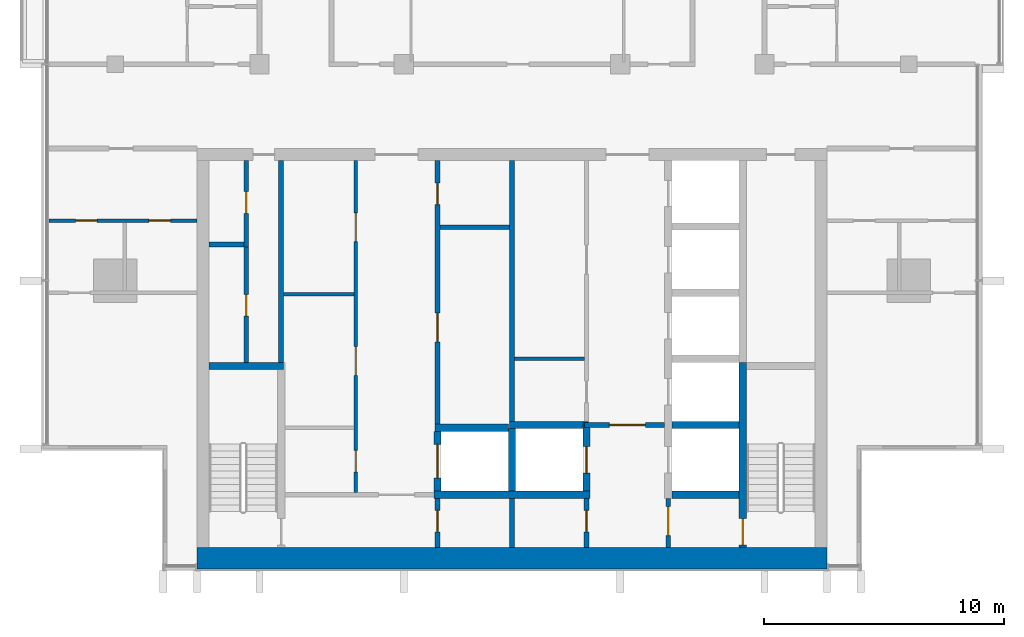
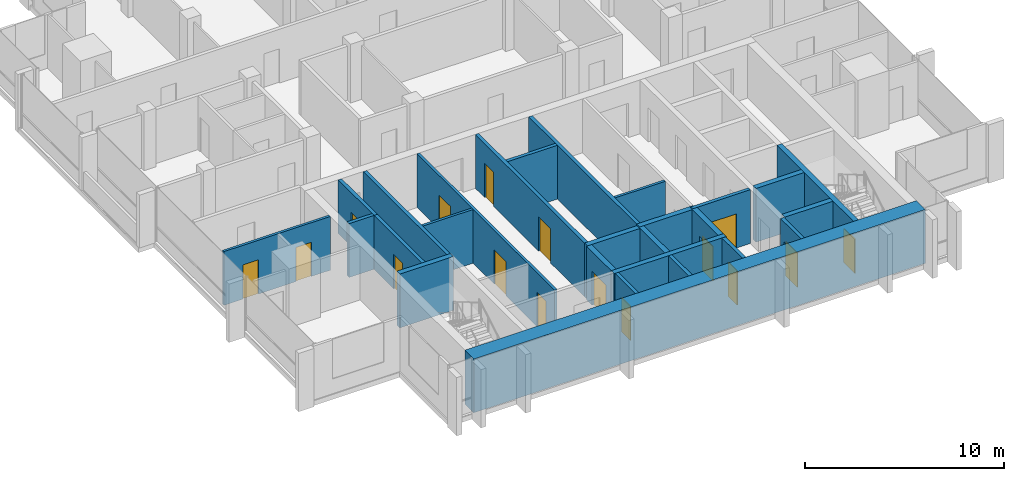
# One storey, part 7 of 16: 27 walls, 16 doors, 16 openings.
"""IFC4 building model written with IfcOpenShell, lengths in metres."""

from ifc_helpers import new_model, si_unit, direction, frame, frame_2d, origin, place, context, subcontext, project, spatial, rectangle, extrude, material, layer, layer_set, type_object, element, fill, save


model = new_model("IFC4")

# Units and contexts
model_context = context("Model", 3, precision=1e-05, world=origin(), true_north=direction((0.0, 1.0)))
body_context = subcontext(model_context, "Body", "Model", "MODEL_VIEW")
ifc_project = project(units=[si_unit("LENGTHUNIT", "METRE"), si_unit("AREAUNIT", "SQUARE_METRE"), si_unit("VOLUMEUNIT", "CUBIC_METRE"), si_unit("PLANEANGLEUNIT", "RADIAN"), si_unit("MASSUNIT", "GRAM", prefix="KILO")], contexts=[model_context])

# Site, building, storey
site_placement = place(None, origin())
site = spatial("IfcSite", under=ifc_project, at=site_placement, CompositionType="ELEMENT")
building_placement = place(site_placement, origin())
building = spatial("IfcBuilding", under=site, at=building_placement, Name="Finial Court Residences", CompositionType="ELEMENT")
storey_placement = place(building_placement, frame((0.0, 0.0, 259.10009765625)))
storey = spatial("IfcBuildingStorey", under=building, at=storey_placement, Name="L65", CompositionType="ELEMENT", Elevation=259.10009765625)

# Walls
ifc_material_1 = material(Name="Fire-rated gypsum board partition")
ifc_layer_1 = layer(ifc_material_1, 0.14990234375)
ifc_layer_set_1 = layer_set([ifc_layer_1], Name="Core room partition 150 EI 60")
wall_type_1 = type_object("IfcWallType", Name="Core room partition 150 EI 60", PredefinedType="PARTITIONING", material=ifc_layer_set_1)
wall_1_placement = place(storey_placement, frame((0.10009765625, -16.75, 0.0), z_axis=(0.0, 0.0, 1.0), x_axis=(1.0, 0.0, 0.0)))
element("IfcWall", 1, at=wall_1_placement, inside=storey, type_object=wall_type_1, Name="Core partition L65-11", PredefinedType="PARTITIONING", context=body_context, shape_type="SweptSolid", body=[
    extrude(rectangle(XDim=2.9248046875, YDim=0.14990234375, at=frame_2d((1.46240234375, 0.0))), origin(), (0.0, 0.0, 1.0), 3.2998046875),
])
wall_2_placement = place(storey_placement, frame((-9.5, -14.06005859375, 0.0), z_axis=(0.0, 0.0, 1.0), x_axis=(1.0, 0.0, 0.0)))
element("IfcWall", 2, at=wall_2_placement, inside=storey, type_object=wall_type_1, Name="Core partition L65-13", PredefinedType="PARTITIONING", context=body_context, shape_type="SweptSolid", body=[
    extrude(rectangle(XDim=2.925048828125, YDim=0.14990234375, at=frame_2d((1.46240234375, 0.0))), origin(), (0.0, 0.0, 1.0), 3.2998046875),
])

# Wall, openings, doors
wall_3_placement = place(storey_placement, frame((-6.5, -22.300048828125, 0.0), z_axis=(0.0, 0.0, 1.0), x_axis=(0.0, 1.0, 0.0)))
wall_3 = element("IfcWall", 3, at=wall_3_placement, inside=storey, type_object=wall_type_1, Name="Core partition L65-22", PredefinedType="PARTITIONING", context=body_context, shape_type="SweptSolid", body=[
    extrude(rectangle(XDim=13.800048828125, YDim=0.14990234375, at=frame_2d((6.89990234375, 0.0))), origin(), (0.0, 0.0, 1.0), 3.2998046875),
])
opening_1_placement = place(wall_3_placement, frame((0.840087890625, 0.0, 0.0)))
opening_1 = element("IfcOpeningElement", 4, at=opening_1_placement, cuts=wall_3, Name="Opening L65-C14", PredefinedType="OPENING", context=body_context, shape_type="SweptSolid", body=[
    extrude(rectangle(XDim=0.89990234375, YDim=2.10009765625, at=frame_2d((0.449951171875, 1.050048828125))), frame((0.0, 0.0849609375, 0.0), z_axis=(0.0, -1.0, 0.0), x_axis=(1.0, 0.0, 0.0)), (0.0, 0.0, 1.0), 0.169921875),
])
opening_2_placement = place(wall_3_placement, frame((4.860107421875, 0.0, 0.0)))
opening_2 = element("IfcOpeningElement", 5, at=opening_2_placement, cuts=wall_3, Name="Opening L65-C15", PredefinedType="OPENING", context=body_context, shape_type="SweptSolid", body=[
    extrude(rectangle(XDim=1.199951171875, YDim=2.10009765625, at=frame_2d((0.60009765625, 1.050048828125))), frame((0.0, 0.0849609375, 0.0), z_axis=(0.0, -1.0, 0.0), x_axis=(1.0, 0.0, 0.0)), (0.0, 0.0, 1.0), 0.169921875),
])
opening_3_placement = place(wall_3_placement, frame((10.419921875, 0.0, 0.0)))
opening_3 = element("IfcOpeningElement", 6, at=opening_3_placement, cuts=wall_3, Name="Opening L65-C16", PredefinedType="OPENING", context=body_context, shape_type="SweptSolid", body=[
    extrude(rectangle(XDim=1.199951171875, YDim=2.10009765625, at=frame_2d((0.60009765625, 1.050048828125))), frame((0.0, 0.0849609375, 0.0), z_axis=(0.0, -1.0, 0.0), x_axis=(1.0, 0.0, 0.0)), (0.0, 0.0, 1.0), 0.169921875),
])
ifc_material_2 = material(Name="Steel fire door", Category="steel")
door_type_1 = type_object("IfcDoorType", Name="Core room door 1200 x 2100 EI 60", OperationType="NOTDEFINED", PredefinedType="DOOR", material=ifc_material_2)
door_1_placement = place(opening_2_placement, origin())
door_1 = element("IfcDoor", 7, at=door_1_placement, inside=storey, type_object=door_type_1, Name="Core room door L65-C15", OperationType="SINGLE_SWING_RIGHT", OverallHeight=2.10009765625, OverallWidth=1.199951171875, PredefinedType="DOOR", context=body_context, shape_type="SweptSolid", body=[
    extrude(rectangle(XDim=1.199951171875, YDim=2.10009765625, at=frame_2d((0.60009765625, 1.050048828125))), frame((0.0, 0.02490234375, 0.0), z_axis=(0.0, -1.0, 0.0), x_axis=(1.0, 0.0, 0.0)), (0.0, 0.0, 1.0), 0.050048828125),
])
fill(opening_2, door_1)
door_2_placement = place(opening_3_placement, origin())
door_2 = element("IfcDoor", 8, at=door_2_placement, inside=storey, type_object=door_type_1, Name="Core room door L65-C16", OperationType="SINGLE_SWING_RIGHT", OverallHeight=2.10009765625, OverallWidth=1.199951171875, PredefinedType="DOOR", context=body_context, shape_type="SweptSolid", body=[
    extrude(rectangle(XDim=1.199951171875, YDim=2.10009765625, at=frame_2d((0.60009765625, 1.050048828125))), frame((0.0, 0.02490234375, 0.0), z_axis=(0.0, -1.0, 0.0), x_axis=(1.0, 0.0, 0.0)), (0.0, 0.0, 1.0), 0.050048828125),
])
fill(opening_3, door_2)
door_type_2 = type_object("IfcDoorType", Name="Core room door 900 x 2100 EI 60", OperationType="NOTDEFINED", PredefinedType="DOOR", material=ifc_material_2)
door_3_placement = place(opening_1_placement, origin())
door_3 = element("IfcDoor", 9, at=door_3_placement, inside=storey, type_object=door_type_2, Name="Core room door L65-C14", OperationType="SINGLE_SWING_LEFT", OverallHeight=2.10009765625, OverallWidth=0.89990234375, PredefinedType="DOOR", context=body_context, shape_type="SweptSolid", body=[
    extrude(rectangle(XDim=0.89990234375, YDim=2.10009765625, at=frame_2d((0.449951171875, 1.050048828125))), frame((0.0, 0.02490234375, 0.0), z_axis=(0.0, -1.0, 0.0), x_axis=(1.0, 0.0, 0.0)), (0.0, 0.0, 1.0), 0.050048828125),
])
fill(opening_1, door_3)

# Wall
ifc_material_3 = material(Name="Concrete C50/60", Category="concrete")
ifc_layer_2 = layer(ifc_material_3, 0.89990234375)
ifc_layer_set_2 = layer_set([ifc_layer_2], Name="Core south facade wall 900 Concrete C50/60")
wall_type_2 = type_object("IfcWallType", Name="Core south facade wall 900 Concrete C50/60", PredefinedType="SHEAR", material=ifc_layer_set_2)
wall_4_placement = place(storey_placement, frame((-13.10009765625, -25.050048828125, 0.0), z_axis=(0.0, 0.0, 1.0), x_axis=(1.0, 0.0, 0.0)))
element("IfcWall", 10, at=wall_4_placement, inside=storey, type_object=wall_type_2, Name="Core outer wall L65-01", PredefinedType="SHEAR", context=body_context, shape_type="SweptSolid", body=[
    extrude(rectangle(XDim=26.2001953125, YDim=0.89990234375, at=frame_2d((13.10009765625, 0.0))), origin(), (0.0, 0.0, 1.0), 3.2998046875),
])

# Wall, opening, door
ifc_layer_3 = layer(ifc_material_1, 0.199951171875)
ifc_layer_set_3 = layer_set([ifc_layer_3], Name="Firefighting lobby wall 200 EI 120")
wall_type_3 = type_object("IfcWallType", Name="Firefighting lobby wall 200 EI 120", PredefinedType="PARTITIONING", material=ifc_layer_set_3)
wall_5_placement = place(storey_placement, frame((6.35009765625, -19.5, 0.0), z_axis=(0.0, 0.0, 1.0), x_axis=(-1.0, 0.0, 0.0)))
wall_5 = element("IfcWall", 11, at=wall_5_placement, inside=storey, type_object=wall_type_3, Name="Core partition L65-07", PredefinedType="PARTITIONING", context=body_context, shape_type="SweptSolid", body=[
    extrude(rectangle(XDim=3.3251953125, YDim=0.199951171875, at=frame_2d((1.66259765625, 0.0))), origin(), (0.0, 0.0, 1.0), 3.2998046875),
])
opening_4_placement = place(wall_5_placement, frame((0.800048828125, 0.0, 0.0)))
opening_4 = element("IfcOpeningElement", 12, at=opening_4_placement, cuts=wall_5, Name="Opening L65-C02", PredefinedType="OPENING", context=body_context, shape_type="SweptSolid", body=[
    extrude(rectangle(XDim=1.5, YDim=2.10009765625, at=frame_2d((0.75, 1.050048828125))), frame((0.0, 0.10986328125, 0.0), z_axis=(0.0, -1.0, 0.0), x_axis=(1.0, 0.0, 0.0)), (0.0, 0.0, 1.0), 0.219970703125),
])
door_type_3 = type_object("IfcDoorType", Name="Firefighting lobby door 1500 x 2100 EI 90", OperationType="DOUBLE_DOOR_SINGLE_SWING", PredefinedType="DOOR", material=ifc_material_2)
door_4_placement = place(opening_4_placement, origin())
door_4 = element("IfcDoor", 13, at=door_4_placement, inside=storey, type_object=door_type_3, Name="Firefighting lobby door L65-C02", OperationType="DOUBLE_DOOR_SINGLE_SWING", OverallHeight=2.10009765625, OverallWidth=1.5, PredefinedType="DOOR", context=body_context, shape_type="SweptSolid", body=[
    extrude(rectangle(XDim=1.5, YDim=2.10009765625, at=frame_2d((0.75, 1.050048828125))), frame((0.0, 0.02490234375, 0.0), z_axis=(0.0, -1.0, 0.0), x_axis=(1.0, 0.0, 0.0)), (0.0, 0.0, 1.0), 0.050048828125),
])
fill(opening_4, door_4)

wall_6_placement = place(storey_placement, frame((3.10009765625, -24.60009765625, 0.0), z_axis=(0.0, 0.0, 1.0), x_axis=(0.0, 1.0, 0.0)))
wall_6 = element("IfcWall", 14, at=wall_6_placement, inside=storey, type_object=wall_type_3, Name="Core partition L65-29", PredefinedType="PARTITIONING", context=body_context, shape_type="SweptSolid", body=[
    extrude(rectangle(XDim=2.050048828125, YDim=0.199951171875, at=frame_2d((1.02490234375, 0.0))), origin(), (0.0, 0.0, 1.0), 3.2998046875),
])
opening_5_placement = place(wall_6_placement, frame((0.64990234375, 0.0, 0.0)))
opening_5 = element("IfcOpeningElement", 15, at=opening_5_placement, cuts=wall_6, Name="Opening L65-C06", PredefinedType="OPENING", context=body_context, shape_type="SweptSolid", body=[
    extrude(rectangle(XDim=0.89990234375, YDim=2.10009765625, at=frame_2d((0.449951171875, 1.050048828125))), frame((0.0, 0.10986328125, 0.0), z_axis=(0.0, -1.0, 0.0), x_axis=(1.0, 0.0, 0.0)), (0.0, 0.0, 1.0), 0.219970703125),
])
door_type_4 = type_object("IfcDoorType", Name="Riser room door 900 x 2100 EI 90", OperationType="NOTDEFINED", PredefinedType="DOOR", material=ifc_material_2)
door_5_placement = place(opening_5_placement, origin())
door_5 = element("IfcDoor", 16, at=door_5_placement, inside=storey, type_object=door_type_4, Name="Riser room door L65-C06", OperationType="SINGLE_SWING_LEFT", OverallHeight=2.10009765625, OverallWidth=0.89990234375, PredefinedType="DOOR", context=body_context, shape_type="SweptSolid", body=[
    extrude(rectangle(XDim=0.89990234375, YDim=2.10009765625, at=frame_2d((0.449951171875, 1.050048828125))), frame((0.0, 0.02490234375, 0.0), z_axis=(0.0, -1.0, 0.0), x_axis=(1.0, 0.0, 0.0)), (0.0, 0.0, 1.0), 0.050048828125),
])
fill(opening_5, door_5)

wall_7_placement = place(storey_placement, frame((6.5, -22.550048828125, 0.0), z_axis=(0.0, 0.0, 1.0), x_axis=(0.0, -1.0, 0.0)))
wall_7 = element("IfcWall", 17, at=wall_7_placement, inside=storey, type_object=wall_type_3, Name="Core partition L65-32", PredefinedType="PARTITIONING", context=body_context, shape_type="SweptSolid", body=[
    extrude(rectangle(XDim=2.050048828125, YDim=0.199951171875, at=frame_2d((1.02490234375, 0.0))), origin(), (0.0, 0.0, 1.0), 3.2998046875),
])
opening_6_placement = place(wall_7_placement, frame((0.35009765625, 0.0, 0.0)))
opening_6 = element("IfcOpeningElement", 18, at=opening_6_placement, cuts=wall_7, Name="Opening L65-C01", PredefinedType="OPENING", context=body_context, shape_type="SweptSolid", body=[
    extrude(rectangle(XDim=1.199951171875, YDim=2.10009765625, at=frame_2d((0.60009765625, 1.050048828125))), frame((0.0, 0.10986328125, 0.0), z_axis=(0.0, -1.0, 0.0), x_axis=(1.0, 0.0, 0.0)), (0.0, 0.0, 1.0), 0.219970703125),
])
door_type_5 = type_object("IfcDoorType", Name="Firefighting lobby door 1200 x 2100 EI 90", OperationType="NOTDEFINED", PredefinedType="DOOR", material=ifc_material_2)
door_6_placement = place(opening_6_placement, origin())
door_6 = element("IfcDoor", 19, at=door_6_placement, inside=storey, type_object=door_type_5, Name="Firefighting lobby door L65-C01", OperationType="SINGLE_SWING_RIGHT", OverallHeight=2.10009765625, OverallWidth=1.199951171875, PredefinedType="DOOR", context=body_context, shape_type="SweptSolid", body=[
    extrude(rectangle(XDim=1.199951171875, YDim=2.10009765625, at=frame_2d((0.60009765625, 1.050048828125))), frame((0.0, 0.02490234375, 0.0), z_axis=(0.0, -1.0, 0.0), x_axis=(1.0, 0.0, 0.0)), (0.0, 0.0, 1.0), 0.050048828125),
])
fill(opening_6, door_6)

# Wall, openings, doors
ifc_material_4 = material(Name="Moisture-resistant gypsum board")
ifc_layer_4 = layer(ifc_material_4, 0.012451171875)
ifc_material_5 = material(Name="Mineral wool in light-gauge frame")
ifc_layer_5 = layer(ifc_material_5, 0.125)
ifc_layer_6 = layer(ifc_material_4, 0.012451171875)
ifc_layer_set_4 = layer_set([ifc_layer_4, ifc_layer_5, ifc_layer_6], Name="Gypsum board wet-area partition 150")
wall_type_4 = type_object("IfcWallType", Name="Gypsum board wet-area partition 150", PredefinedType="PARTITIONING", material=ifc_layer_set_4)
wall_8_placement = place(storey_placement, frame((-19.262451171875, -11.0, 0.0), z_axis=(0.0, 0.0, 1.0), x_axis=(1.0, 0.0, 0.0)))
wall_8 = element("IfcWall", 20, at=wall_8_placement, inside=storey, type_object=wall_type_4, Name="Partition L65-002", PredefinedType="PARTITIONING", context=body_context, shape_type="SweptSolid", body=[
    extrude(rectangle(XDim=6.162353515625, YDim=0.14990234375, at=frame_2d((3.0810546875, 0.0))), origin(), (0.0, 0.0, 1.0), 3.2998046875),
])
opening_7_placement = place(wall_8_placement, frame((1.113037109375, 0.0, 0.0)))
opening_7 = element("IfcOpeningElement", 21, at=opening_7_placement, cuts=wall_8, Name="Opening L65-D003", PredefinedType="OPENING", context=body_context, shape_type="SweptSolid", body=[
    extrude(rectangle(XDim=0.89990234375, YDim=2.10009765625, at=frame_2d((0.449951171875, 1.050048828125))), frame((0.0, 0.0849609375, 0.0), z_axis=(0.0, -1.0, 0.0), x_axis=(1.0, 0.0, 0.0)), (0.0, 0.0, 1.0), 0.169921875),
])
opening_8_placement = place(wall_8_placement, frame((4.162109375, 0.0, 0.0)))
opening_8 = element("IfcOpeningElement", 22, at=opening_8_placement, cuts=wall_8, Name="Opening L65-D004", PredefinedType="OPENING", context=body_context, shape_type="SweptSolid", body=[
    extrude(rectangle(XDim=0.89990234375, YDim=2.10009765625, at=frame_2d((0.449951171875, 1.050048828125))), frame((0.0, 0.0849609375, 0.0), z_axis=(0.0, -1.0, 0.0), x_axis=(1.0, 0.0, 0.0)), (0.0, 0.0, 1.0), 0.169921875),
])
ifc_material_6 = material(Name="Timber door leaf in timber frame", Category="wood")
door_type_6 = type_object("IfcDoorType", Name="Door set 900 x 2100", OperationType="SINGLE_SWING_LEFT", PredefinedType="DOOR", material=ifc_material_6)
door_7_placement = place(opening_7_placement, origin())
door_7 = element("IfcDoor", 23, at=door_7_placement, inside=storey, type_object=door_type_6, Name="Door L65-D003", OperationType="SINGLE_SWING_LEFT", OverallHeight=2.10009765625, OverallWidth=0.89990234375, PredefinedType="DOOR", context=body_context, shape_type="SweptSolid", body=[
    extrude(rectangle(XDim=0.89990234375, YDim=2.10009765625, at=frame_2d((0.449951171875, 1.050048828125))), frame((0.0, 0.02490234375, 0.0), z_axis=(0.0, -1.0, 0.0), x_axis=(1.0, 0.0, 0.0)), (0.0, 0.0, 1.0), 0.050048828125),
])
fill(opening_7, door_7)
door_8_placement = place(opening_8_placement, origin())
door_8 = element("IfcDoor", 24, at=door_8_placement, inside=storey, type_object=door_type_6, Name="Door L65-D004", OperationType="SINGLE_SWING_RIGHT", OverallHeight=2.10009765625, OverallWidth=0.89990234375, PredefinedType="DOOR", context=body_context, shape_type="SweptSolid", body=[
    extrude(rectangle(XDim=0.89990234375, YDim=2.10009765625, at=frame_2d((0.449951171875, 1.050048828125))), frame((0.0, 0.02490234375, 0.0), z_axis=(0.0, -1.0, 0.0), x_axis=(1.0, 0.0, 0.0)), (0.0, 0.0, 1.0), 0.050048828125),
])
fill(opening_8, door_8)

# Walls
ifc_layer_7 = layer(ifc_material_3, 0.300048828125)
ifc_layer_set_5 = layer_set([ifc_layer_7], Name="Lift shaft and stair wall 300 Concrete C50/60")
wall_type_5 = type_object("IfcWallType", Name="Lift shaft and stair wall 300 Concrete C50/60", PredefinedType="SHEAR", material=ifc_layer_set_5)
wall_9_placement = place(storey_placement, frame((-3.25, -22.39990234375, 0.0), z_axis=(0.0, 0.0, 1.0), x_axis=(1.0, 0.0, 0.0)))
element("IfcWall", 25, at=wall_9_placement, inside=storey, type_object=wall_type_5, Name="Core wall L65-02", PredefinedType="SHEAR", context=body_context, shape_type="SweptSolid", body=[
    extrude(rectangle(XDim=6.5, YDim=0.300048828125, at=frame_2d((3.25, 0.0))), origin(), (0.0, 0.0, 1.0), 3.2998046875),
])
wall_10_placement = place(storey_placement, frame((6.64990234375, -22.39990234375, 0.0), z_axis=(0.0, 0.0, 1.0), x_axis=(1.0, 0.0, 0.0)))
element("IfcWall", 26, at=wall_10_placement, inside=storey, type_object=wall_type_5, Name="Core wall L65-03", PredefinedType="SHEAR", context=body_context, shape_type="SweptSolid", body=[
    extrude(rectangle(XDim=2.800048828125, YDim=0.300048828125, at=frame_2d((1.39990234375, 0.0))), origin(), (0.0, 0.0, 1.0), 3.2998046875),
])
wall_11_placement = place(storey_placement, frame((-3.199951171875, -19.6201171875, 0.0), z_axis=(0.0, 0.0, 1.0), x_axis=(1.0, 0.0, 0.0)))
element("IfcWall", 27, at=wall_11_placement, inside=storey, type_object=wall_type_5, Name="Core wall L65-05", PredefinedType="SHEAR", context=body_context, shape_type="SweptSolid", body=[
    extrude(rectangle(XDim=3.050048828125, YDim=0.300048828125, at=frame_2d((1.52490234375, 0.0))), origin(), (0.0, 0.0, 1.0), 3.2998046875),
])
wall_12_placement = place(storey_placement, frame((-0.10009765625, -19.5, 0.0), z_axis=(0.0, 0.0, 1.0), x_axis=(1.0, 0.0, 0.0)))
element("IfcWall", 28, at=wall_12_placement, inside=storey, type_object=wall_type_5, Name="Core wall L65-06", PredefinedType="SHEAR", context=body_context, shape_type="SweptSolid", body=[
    extrude(rectangle(XDim=3.275146484375, YDim=0.300048828125, at=frame_2d((1.6376953125, 0.0))), origin(), (0.0, 0.0, 1.0), 3.2998046875),
])
wall_13_placement = place(storey_placement, frame((6.64990234375, -19.5, 0.0), z_axis=(0.0, 0.0, 1.0), x_axis=(1.0, 0.0, 0.0)))
element("IfcWall", 29, at=wall_13_placement, inside=storey, type_object=wall_type_5, Name="Core wall L65-08", PredefinedType="SHEAR", context=body_context, shape_type="SweptSolid", body=[
    extrude(rectangle(XDim=2.800048828125, YDim=0.300048828125, at=frame_2d((1.39990234375, 0.0))), origin(), (0.0, 0.0, 1.0), 3.2998046875),
])
wall_14_placement = place(storey_placement, frame((-12.60009765625, -17.050048828125, 0.0), z_axis=(0.0, 0.0, 1.0), x_axis=(1.0, 0.0, 0.0)))
element("IfcWall", 30, at=wall_14_placement, inside=storey, type_object=wall_type_5, Name="Core wall L65-09", PredefinedType="SHEAR", context=body_context, shape_type="SweptSolid", body=[
    extrude(rectangle(XDim=3.10009765625, YDim=0.300048828125, at=frame_2d((1.550048828125, 0.0))), origin(), (0.0, 0.0, 1.0), 3.2998046875),
])

# Wall, opening, door
wall_15_placement = place(storey_placement, frame((-3.10009765625, -22.25, 0.0), z_axis=(0.0, 0.0, 1.0), x_axis=(0.0, 1.0, 0.0)))
wall_15 = element("IfcWall", 31, at=wall_15_placement, inside=storey, type_object=wall_type_5, Name="Core wall L65-24", PredefinedType="SHEAR", context=body_context, shape_type="SweptSolid", body=[
    extrude(rectangle(XDim=2.47998046875, YDim=0.300048828125, at=frame_2d((1.239990234375, 0.0))), origin(), (0.0, 0.0, 1.0), 3.2998046875),
])
opening_9_placement = place(wall_15_placement, frame((0.5400390625, 0.0, 0.0)))
opening_9 = element("IfcOpeningElement", 32, at=opening_9_placement, cuts=wall_15, Name="Opening L65-LD07", PredefinedType="OPENING", context=body_context, shape_type="SweptSolid", body=[
    extrude(rectangle(XDim=1.39990234375, YDim=2.10009765625, at=frame_2d((0.699951171875, 1.050048828125))), frame((0.0, 0.159912109375, 0.0), z_axis=(0.0, -1.0, 0.0), x_axis=(1.0, 0.0, 0.0)), (0.0, 0.0, 1.0), 0.320068359375),
])
ifc_material_7 = material(Name="Stainless steel lift door", Category="steel")
door_type_7 = type_object("IfcDoorType", Name="Lift landing door 1400 x 2100 EI 90", OperationType="DOUBLE_DOOR_SLIDING", PredefinedType="DOOR", material=ifc_material_7)
door_9_placement = place(opening_9_placement, origin())
door_9 = element("IfcDoor", 33, at=door_9_placement, inside=storey, type_object=door_type_7, Name="Lift landing door SV1 L65", OperationType="DOUBLE_DOOR_SLIDING", OverallHeight=2.10009765625, OverallWidth=1.39990234375, PredefinedType="DOOR", context=body_context, shape_type="SweptSolid", body=[
    extrude(rectangle(XDim=1.39990234375, YDim=2.10009765625, at=frame_2d((0.699951171875, 1.050048828125))), frame((0.0, 0.02490234375, 0.0), z_axis=(0.0, -1.0, 0.0), x_axis=(1.0, 0.0, 0.0)), (0.0, 0.0, 1.0), 0.050048828125),
])
fill(opening_9, door_9)

# Wall
wall_16_placement = place(storey_placement, frame((0.0, -22.25, 0.0), z_axis=(0.0, 0.0, 1.0), x_axis=(0.0, 1.0, 0.0)))
element("IfcWall", 34, at=wall_16_placement, inside=storey, type_object=wall_type_5, Name="Core wall L65-27", PredefinedType="SHEAR", context=body_context, shape_type="SweptSolid", body=[
    extrude(rectangle(XDim=2.60009765625, YDim=0.300048828125, at=frame_2d((1.300048828125, 0.0))), origin(), (0.0, 0.0, 1.0), 3.2998046875),
])

# Wall, opening, door
wall_17_placement = place(storey_placement, frame((3.10009765625, -22.25, 0.0), z_axis=(0.0, 0.0, 1.0), x_axis=(0.0, 1.0, 0.0)))
wall_17 = element("IfcWall", 35, at=wall_17_placement, inside=storey, type_object=wall_type_5, Name="Core wall L65-30", PredefinedType="SHEAR", context=body_context, shape_type="SweptSolid", body=[
    extrude(rectangle(XDim=2.85009765625, YDim=0.300048828125, at=frame_2d((1.425048828125, 0.0))), origin(), (0.0, 0.0, 1.0), 3.2998046875),
])
opening_10_placement = place(wall_17_placement, frame((0.75, 0.0, 0.0)))
opening_10 = element("IfcOpeningElement", 36, at=opening_10_placement, cuts=wall_17, Name="Opening L65-LD01", PredefinedType="OPENING", context=body_context, shape_type="SweptSolid", body=[
    extrude(rectangle(XDim=1.10009765625, YDim=2.10009765625, at=frame_2d((0.550048828125, 1.050048828125))), frame((0.0, 0.159912109375, 0.0), z_axis=(0.0, -1.0, 0.0), x_axis=(1.0, 0.0, 0.0)), (0.0, 0.0, 1.0), 0.320068359375),
])
door_type_8 = type_object("IfcDoorType", Name="Lift landing door 1100 x 2100 EI 90", OperationType="DOUBLE_DOOR_SLIDING", PredefinedType="DOOR", material=ifc_material_7)
door_10_placement = place(opening_10_placement, origin())
door_10 = element("IfcDoor", 37, at=door_10_placement, inside=storey, type_object=door_type_8, Name="Lift landing door FF1 L65", OperationType="DOUBLE_DOOR_SLIDING", OverallHeight=2.10009765625, OverallWidth=1.10009765625, PredefinedType="DOOR", context=body_context, shape_type="SweptSolid", body=[
    extrude(rectangle(XDim=1.10009765625, YDim=2.10009765625, at=frame_2d((0.550048828125, 1.050048828125))), frame((0.0, 0.02490234375, 0.0), z_axis=(0.0, -1.0, 0.0), x_axis=(1.0, 0.0, 0.0)), (0.0, 0.0, 1.0), 0.050048828125),
])
fill(opening_10, door_10)

wall_18_placement = place(storey_placement, frame((9.60009765625, -16.89990234375, 0.0), z_axis=(0.0, 0.0, 1.0), x_axis=(0.0, -1.0, 0.0)))
wall_18 = element("IfcWall", 38, at=wall_18_placement, inside=storey, type_object=wall_type_5, Name="Core wall L65-34", PredefinedType="SHEAR", context=body_context, shape_type="SweptSolid", body=[
    extrude(rectangle(XDim=7.7001953125, YDim=0.300048828125, at=frame_2d((3.85009765625, 0.0))), origin(), (0.0, 0.0, 1.0), 3.2998046875),
])
opening_11_placement = place(wall_18_placement, frame((6.5, 0.0, 0.0)))
opening_11 = element("IfcOpeningElement", 39, at=opening_11_placement, cuts=wall_18, Name="Opening L65-C20", PredefinedType="OPENING", context=body_context, shape_type="SweptSolid", body=[
    extrude(rectangle(XDim=1.10009765625, YDim=2.10009765625, at=frame_2d((0.550048828125, 1.050048828125))), frame((0.0, 0.159912109375, 0.0), z_axis=(0.0, -1.0, 0.0), x_axis=(1.0, 0.0, 0.0)), (0.0, 0.0, 1.0), 0.320068359375),
])
door_type_9 = type_object("IfcDoorType", Name="Stair door 1100 x 2100 EI 90", OperationType="NOTDEFINED", PredefinedType="DOOR", material=ifc_material_2)
door_11_placement = place(opening_11_placement, origin())
door_11 = element("IfcDoor", 40, at=door_11_placement, inside=storey, type_object=door_type_9, Name="Stair door L65-C20", OperationType="SINGLE_SWING_RIGHT", OverallHeight=2.10009765625, OverallWidth=1.10009765625, PredefinedType="DOOR", context=body_context, shape_type="SweptSolid", body=[
    extrude(rectangle(XDim=1.10009765625, YDim=2.10009765625, at=frame_2d((0.550048828125, 1.050048828125))), frame((0.0, 0.02490234375, 0.0), z_axis=(0.0, -1.0, 0.0), x_axis=(1.0, 0.0, 0.0)), (0.0, 0.0, 1.0), 0.050048828125),
])
fill(opening_11, door_11)

# Walls
ifc_layer_8 = layer(ifc_material_1, 0.199951171875)
ifc_layer_set_6 = layer_set([ifc_layer_8], Name="Riser room wall 200 EI 120")
wall_type_6 = type_object("IfcWallType", Name="Riser room wall 200 EI 120", PredefinedType="PARTITIONING", material=ifc_layer_set_6)
wall_19_placement = place(storey_placement, frame((-12.60009765625, -12.0, 0.0), z_axis=(0.0, 0.0, 1.0), x_axis=(1.0, 0.0, 0.0)))
element("IfcWall", 41, at=wall_19_placement, inside=storey, type_object=wall_type_6, Name="Core partition L65-15", PredefinedType="PARTITIONING", context=body_context, shape_type="SweptSolid", body=[
    extrude(rectangle(XDim=1.4501953125, YDim=0.199951171875, at=frame_2d((0.72509765625, 0.0))), origin(), (0.0, 0.0, 1.0), 3.2998046875),
])
wall_20_placement = place(storey_placement, frame((-3.0, -11.280029296875, 0.0), z_axis=(0.0, 0.0, 1.0), x_axis=(1.0, 0.0, 0.0)))
element("IfcWall", 42, at=wall_20_placement, inside=storey, type_object=wall_type_6, Name="Core partition L65-16", PredefinedType="PARTITIONING", context=body_context, shape_type="SweptSolid", body=[
    extrude(rectangle(XDim=2.89990234375, YDim=0.199951171875, at=frame_2d((1.449951171875, 0.0))), origin(), (0.0, 0.0, 1.0), 3.2998046875),
])

# Wall, opening, door
wall_21_placement = place(storey_placement, frame((-11.050048828125, -12.10009765625, 0.0), z_axis=(0.0, 0.0, 1.0), x_axis=(0.0, 1.0, 0.0)))
wall_21 = element("IfcWall", 43, at=wall_21_placement, inside=storey, type_object=wall_type_6, Name="Core partition L65-19", PredefinedType="PARTITIONING", context=body_context, shape_type="SweptSolid", body=[
    extrude(rectangle(XDim=3.60009765625, YDim=0.199951171875, at=frame_2d((1.800048828125, 0.0))), origin(), (0.0, 0.0, 1.0), 3.2998046875),
])
opening_12_placement = place(wall_21_placement, frame((1.39990234375, 0.0, 0.0)))
opening_12 = element("IfcOpeningElement", 44, at=opening_12_placement, cuts=wall_21, Name="Opening L65-C07", PredefinedType="OPENING", context=body_context, shape_type="SweptSolid", body=[
    extrude(rectangle(XDim=0.89990234375, YDim=2.10009765625, at=frame_2d((0.449951171875, 1.050048828125))), frame((0.0, 0.10986328125, 0.0), z_axis=(0.0, -1.0, 0.0), x_axis=(1.0, 0.0, 0.0)), (0.0, 0.0, 1.0), 0.219970703125),
])
door_12_placement = place(opening_12_placement, origin())
door_12 = element("IfcDoor", 45, at=door_12_placement, inside=storey, type_object=door_type_4, Name="Riser room door L65-C07", OperationType="SINGLE_SWING_LEFT", OverallHeight=2.10009765625, OverallWidth=0.89990234375, PredefinedType="DOOR", context=body_context, shape_type="SweptSolid", body=[
    extrude(rectangle(XDim=0.89990234375, YDim=2.10009765625, at=frame_2d((0.449951171875, 1.050048828125))), frame((0.0, 0.02490234375, 0.0), z_axis=(0.0, -1.0, 0.0), x_axis=(1.0, 0.0, 0.0)), (0.0, 0.0, 1.0), 0.050048828125),
])
fill(opening_12, door_12)

# Wall, openings, doors
wall_22_placement = place(storey_placement, frame((-3.10009765625, -8.5, 0.0), z_axis=(0.0, 0.0, 1.0), x_axis=(0.0, -1.0, 0.0)))
wall_22 = element("IfcWall", 46, at=wall_22_placement, inside=storey, type_object=wall_type_6, Name="Core partition L65-25", PredefinedType="PARTITIONING", context=body_context, shape_type="SweptSolid", body=[
    extrude(rectangle(XDim=10.969970703125, YDim=0.199951171875, at=frame_2d((5.48486328125, 0.0))), origin(), (0.0, 0.0, 1.0), 3.2998046875),
])
opening_13_placement = place(wall_22_placement, frame((6.35009765625, 0.0, 0.0)))
opening_13 = element("IfcOpeningElement", 47, at=opening_13_placement, cuts=wall_22, Name="Opening L65-C08", PredefinedType="OPENING", context=body_context, shape_type="SweptSolid", body=[
    extrude(rectangle(XDim=1.199951171875, YDim=2.10009765625, at=frame_2d((0.60009765625, 1.050048828125))), frame((0.0, 0.10986328125, 0.0), z_axis=(0.0, -1.0, 0.0), x_axis=(1.0, 0.0, 0.0)), (0.0, 0.0, 1.0), 0.219970703125),
])
opening_14_placement = place(wall_22_placement, frame((0.93994140625, 0.0, 0.0)))
opening_14 = element("IfcOpeningElement", 48, at=opening_14_placement, cuts=wall_22, Name="Opening L65-C09", PredefinedType="OPENING", context=body_context, shape_type="SweptSolid", body=[
    extrude(rectangle(XDim=0.89990234375, YDim=2.10009765625, at=frame_2d((0.449951171875, 1.050048828125))), frame((0.0, 0.10986328125, 0.0), z_axis=(0.0, -1.0, 0.0), x_axis=(1.0, 0.0, 0.0)), (0.0, 0.0, 1.0), 0.219970703125),
])
door_type_10 = type_object("IfcDoorType", Name="Riser room door 1200 x 2100 EI 90", OperationType="NOTDEFINED", PredefinedType="DOOR", material=ifc_material_2)
door_13_placement = place(opening_13_placement, origin())
door_13 = element("IfcDoor", 49, at=door_13_placement, inside=storey, type_object=door_type_10, Name="Riser room door L65-C08", OperationType="SINGLE_SWING_RIGHT", OverallHeight=2.10009765625, OverallWidth=1.199951171875, PredefinedType="DOOR", context=body_context, shape_type="SweptSolid", body=[
    extrude(rectangle(XDim=1.199951171875, YDim=2.10009765625, at=frame_2d((0.60009765625, 1.050048828125))), frame((0.0, 0.02490234375, 0.0), z_axis=(0.0, -1.0, 0.0), x_axis=(1.0, 0.0, 0.0)), (0.0, 0.0, 1.0), 0.050048828125),
])
fill(opening_13, door_13)
door_14_placement = place(opening_14_placement, origin())
door_14 = element("IfcDoor", 50, at=door_14_placement, inside=storey, type_object=door_type_4, Name="Riser room door L65-C09", OperationType="SINGLE_SWING_RIGHT", OverallHeight=2.10009765625, OverallWidth=0.89990234375, PredefinedType="DOOR", context=body_context, shape_type="SweptSolid", body=[
    extrude(rectangle(XDim=0.89990234375, YDim=2.10009765625, at=frame_2d((0.449951171875, 1.050048828125))), frame((0.0, 0.02490234375, 0.0), z_axis=(0.0, -1.0, 0.0), x_axis=(1.0, 0.0, 0.0)), (0.0, 0.0, 1.0), 0.050048828125),
])
fill(opening_14, door_14)

# Walls
wall_23_placement = place(storey_placement, frame((0.0, -24.60009765625, 0.0), z_axis=(0.0, 0.0, 1.0), x_axis=(0.0, 1.0, 0.0)))
element("IfcWall", 51, at=wall_23_placement, inside=storey, type_object=wall_type_6, Name="Core partition L65-26", PredefinedType="PARTITIONING", context=body_context, shape_type="SweptSolid", body=[
    extrude(rectangle(XDim=2.050048828125, YDim=0.199951171875, at=frame_2d((1.02490234375, 0.0))), origin(), (0.0, 0.0, 1.0), 3.2998046875),
])
wall_24_placement = place(storey_placement, frame((0.0, -19.35009765625, 0.0), z_axis=(0.0, 0.0, 1.0), x_axis=(0.0, 1.0, 0.0)))
element("IfcWall", 52, at=wall_24_placement, inside=storey, type_object=wall_type_6, Name="Core partition L65-28", PredefinedType="PARTITIONING", context=body_context, shape_type="SweptSolid", body=[
    extrude(rectangle(XDim=10.85009765625, YDim=0.199951171875, at=frame_2d((5.425048828125, 0.0))), origin(), (0.0, 0.0, 1.0), 3.2998046875),
])

# Wall, opening, door
ifc_layer_9 = layer(ifc_material_1, 0.199951171875)
ifc_layer_set_7 = layer_set([ifc_layer_9], Name="Stair passage wall 200 EI 180")
wall_type_7 = type_object("IfcWallType", Name="Stair passage wall 200 EI 180", PredefinedType="PARTITIONING", material=ifc_layer_set_7)
wall_25_placement = place(storey_placement, frame((-11.050048828125, -16.89990234375, 0.0), z_axis=(0.0, 0.0, 1.0), x_axis=(0.0, 1.0, 0.0)))
wall_25 = element("IfcWall", 53, at=wall_25_placement, inside=storey, type_object=wall_type_7, Name="Core partition L65-18", PredefinedType="PARTITIONING", context=body_context, shape_type="SweptSolid", body=[
    extrude(rectangle(XDim=5.0, YDim=0.199951171875, at=frame_2d((2.5, 0.0))), origin(), (0.0, 0.0, 1.0), 3.2998046875),
])
opening_15_placement = place(wall_25_placement, frame((1.925048828125, 0.0, 0.0)))
opening_15 = element("IfcOpeningElement", 54, at=opening_15_placement, cuts=wall_25, Name="Opening L65-C13", PredefinedType="OPENING", context=body_context, shape_type="SweptSolid", body=[
    extrude(rectangle(XDim=0.89990234375, YDim=2.10009765625, at=frame_2d((0.449951171875, 1.050048828125))), frame((0.0, 0.10986328125, 0.0), z_axis=(0.0, -1.0, 0.0), x_axis=(1.0, 0.0, 0.0)), (0.0, 0.0, 1.0), 0.219970703125),
])
door_15_placement = place(opening_15_placement, origin())
door_15 = element("IfcDoor", 55, at=door_15_placement, inside=storey, type_object=door_type_2, Name="Core room door L65-C13", OperationType="SINGLE_SWING_LEFT", OverallHeight=2.10009765625, OverallWidth=0.89990234375, PredefinedType="DOOR", context=body_context, shape_type="SweptSolid", body=[
    extrude(rectangle(XDim=0.89990234375, YDim=2.10009765625, at=frame_2d((0.449951171875, 1.050048828125))), frame((0.0, 0.02490234375, 0.0), z_axis=(0.0, -1.0, 0.0), x_axis=(1.0, 0.0, 0.0)), (0.0, 0.0, 1.0), 0.050048828125),
])
fill(opening_15, door_15)

# Wall
wall_26_placement = place(storey_placement, frame((-9.60009765625, -16.89990234375, 0.0), z_axis=(0.0, 0.0, 1.0), x_axis=(0.0, 1.0, 0.0)))
element("IfcWall", 56, at=wall_26_placement, inside=storey, type_object=wall_type_7, Name="Core partition L65-21", PredefinedType="PARTITIONING", context=body_context, shape_type="SweptSolid", body=[
    extrude(rectangle(XDim=8.39990234375, YDim=0.199951171875, at=frame_2d((4.199951171875, 0.0))), origin(), (0.0, 0.0, 1.0), 3.2998046875),
])

# Wall, opening, door
wall_27_placement = place(storey_placement, frame((-3.10009765625, -22.550048828125, 0.0), z_axis=(0.0, 0.0, 1.0), x_axis=(0.0, -1.0, 0.0)))
wall_27 = element("IfcWall", 57, at=wall_27_placement, inside=storey, type_object=wall_type_7, Name="Core partition L65-23", PredefinedType="PARTITIONING", context=body_context, shape_type="SweptSolid", body=[
    extrude(rectangle(XDim=2.050048828125, YDim=0.199951171875, at=frame_2d((1.02490234375, 0.0))), origin(), (0.0, 0.0, 1.0), 3.2998046875),
])
opening_16_placement = place(wall_27_placement, frame((0.5, 0.0, 0.0)))
opening_16 = element("IfcOpeningElement", 58, at=opening_16_placement, cuts=wall_27, Name="Opening L65-C12", PredefinedType="OPENING", context=body_context, shape_type="SweptSolid", body=[
    extrude(rectangle(XDim=0.89990234375, YDim=2.10009765625, at=frame_2d((0.449951171875, 1.050048828125))), frame((0.0, 0.10986328125, 0.0), z_axis=(0.0, -1.0, 0.0), x_axis=(1.0, 0.0, 0.0)), (0.0, 0.0, 1.0), 0.219970703125),
])
door_16_placement = place(opening_16_placement, origin())
door_16 = element("IfcDoor", 59, at=door_16_placement, inside=storey, type_object=door_type_2, Name="Core room door L65-C12", OperationType="SINGLE_SWING_RIGHT", OverallHeight=2.10009765625, OverallWidth=0.89990234375, PredefinedType="DOOR", context=body_context, shape_type="SweptSolid", body=[
    extrude(rectangle(XDim=0.89990234375, YDim=2.10009765625, at=frame_2d((0.449951171875, 1.050048828125))), frame((0.0, 0.02490234375, 0.0), z_axis=(0.0, -1.0, 0.0), x_axis=(1.0, 0.0, 0.0)), (0.0, 0.0, 1.0), 0.050048828125),
])
fill(opening_16, door_16)

save(model, "model.ifc")
